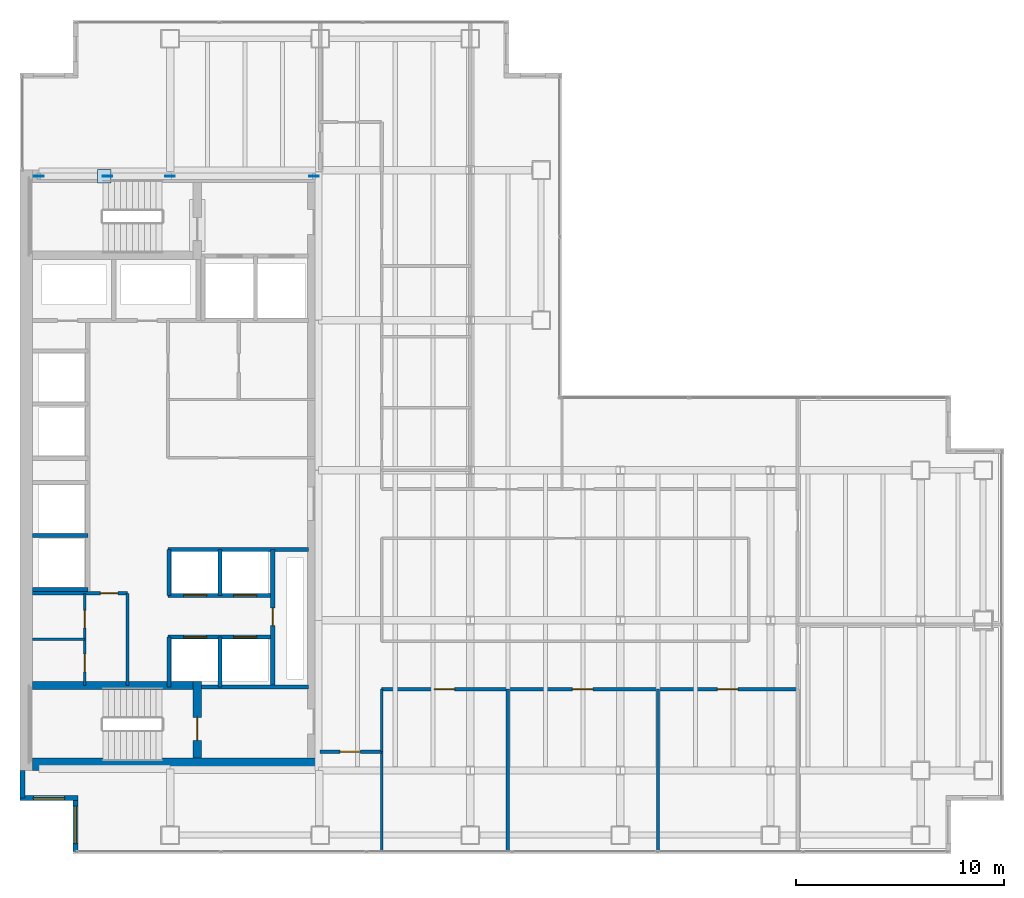
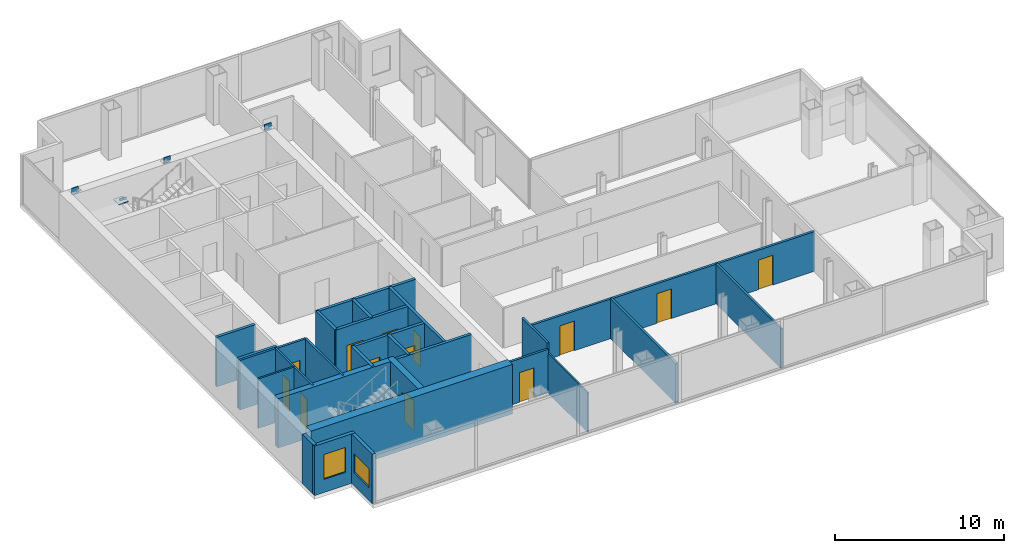
# One storey, part 20 of 23: 27 walls, 13 doors, 5 plates, 2 windows, 15 openings.
"""IFC4 building model written with IfcOpenShell, lengths in metres."""

from ifc_helpers import new_model, si_unit, direction, frame, frame_2d, origin, origin_2d, place, context, subcontext, project, spatial, rectangle, extrude, material, layer, layer_set, type_object, element, fill, save


model = new_model("IFC4")

# Units and contexts
model_context = context("Model", 3, precision=1e-05, world=origin(), true_north=direction((0.0, 1.0)))
body_context = subcontext(model_context, "Body", "Model", "MODEL_VIEW")
ifc_project = project(units=[si_unit("LENGTHUNIT", "METRE"), si_unit("AREAUNIT", "SQUARE_METRE"), si_unit("VOLUMEUNIT", "CUBIC_METRE"), si_unit("PLANEANGLEUNIT", "RADIAN"), si_unit("MASSUNIT", "GRAM", prefix="KILO")], contexts=[model_context])

# Site, building, storey
site_placement = place(None, origin())
site = spatial("IfcSite", under=ifc_project, at=site_placement, CompositionType="ELEMENT")
building_placement = place(site_placement, origin())
building = spatial("IfcBuilding", under=site, at=building_placement, Name="Cobrela Telecom Tower", CompositionType="ELEMENT")
storey_placement = place(building_placement, frame((0.0, 0.0, 129.14990234375)))
storey = spatial("IfcBuildingStorey", under=building, at=storey_placement, Name="L32", CompositionType="ELEMENT", Elevation=129.14990234375)

# Plates
ifc_material_1 = material(Name="Steel ASTM A572 Grade 50", Category="steel")
ifc_layer_1 = layer(ifc_material_1, 0.0419921875)
ifc_layer_set_1 = layer_set([ifc_layer_1], Name="Steel ASTM A572 Grade 50")
plate_type = type_object("IfcPlateType", Name="PLT-NODE-ND1", PredefinedType="USERDEFINED", material=ifc_layer_set_1)
for number, where, z_axis, x_axis, name in (
    (1, (7.199951171875, 35.699951171875, 3.39013671875), (0.0, 0.0, 1.0), (1.0, 0.0, 0.0), "Steel node plate PLT-MBR-EXO-L32-N1-A-1"),
    (2, (4.1953125, 35.699951171875, 1.475830078125), (0.0, 0.0, 1.0), (-1.0, 0.0, 0.0), "Steel node plate PLT-MBR-EXO-L32-N1-B1-1"),
    (3, (0.89990234375, 35.699951171875, 3.39013671875), (0.0, 0.0, 1.0), (-1.0, 0.0, 0.0), "Steel node plate PLT-MBR-EXO-L32-N1-B2-1"),
):
    element("IfcPlate", number, at=place(storey_placement, frame(where, z_axis=z_axis, x_axis=x_axis)), inside=storey, type_object=plate_type, Name=name, ObjectType="GUSSET PLATE", PredefinedType="USERDEFINED", context=body_context, shape_type="SweptSolid", body=[
        extrude(rectangle(XDim=0.4599609375, YDim=0.044921875, at=origin_2d()), origin(), (0.0, 0.0, 1.0), 0.4599609375),
    ])
plate_1_placement = place(storey_placement, frame((4.050048828125, 35.699951171875, 1.767578125), z_axis=(0.0, 0.0, 1.0), x_axis=(1.0, 0.0, 0.0)))
element("IfcPlate", 4, at=plate_1_placement, inside=storey, type_object=plate_type, Name="L32 Core Flange Steel X-Brace Central X-Crossing Gusset Plate", ObjectType="GUSSET PLATE", PredefinedType="USERDEFINED", context=body_context, shape_type="SweptSolid", body=[
    extrude(rectangle(XDim=0.64990234375, YDim=0.64990234375, at=origin_2d()), origin(), (0.0, 0.0, 1.0), 0.044921875),
])
plate_2_placement = place(storey_placement, frame((14.10009765625, 35.699951171875, 3.39013671875), z_axis=(0.0, 0.0, 1.0), x_axis=(1.0, 0.0, 0.0)))
element("IfcPlate", 5, at=plate_2_placement, inside=storey, type_object=plate_type, Name="Steel node plate PLT-MBR-EXO-L32-N2-1", ObjectType="GUSSET PLATE", PredefinedType="USERDEFINED", context=body_context, shape_type="SweptSolid", body=[
    extrude(rectangle(XDim=0.4599609375, YDim=0.044921875, at=origin_2d()), origin(), (0.0, 0.0, 1.0), 0.4599609375),
])

# Wall
ifc_material_2 = material(Name="Concrete C50/60", Category="concrete")
ifc_layer_2 = layer(ifc_material_2, 0.60009765625)
ifc_layer_set_2 = layer_set([ifc_layer_2], Name="Concrete C50/60")
wall_type_1 = type_object("IfcWallType", Name="WALL-CORE-C50-600", PredefinedType="SHEAR", material=ifc_layer_set_2)
wall_1_placement = place(storey_placement, frame((0.60009765625, 7.5, 0.0), z_axis=(0.0, 0.0, 1.0), x_axis=(1.0, 0.0, 0.0)))
element("IfcWall", 6, at=wall_1_placement, inside=storey, type_object=wall_type_1, Name="L32 South Core Shear Wall", PredefinedType="SHEAR", context=body_context, shape_type="SweptSolid", body=[
    extrude(rectangle(XDim=13.7998046875, YDim=0.60009765625, at=frame_2d((6.89990234375, 0.0))), origin(), (0.0, 0.0, 1.0), 3.580078125),
])

# Wall, opening, window
ifc_material_3 = material(Name="Concrete C40/50", Category="concrete")
ifc_layer_3 = layer(ifc_material_3, 0.239990234375)
ifc_layer_set_3 = layer_set([ifc_layer_3], Name="Concrete C40/50")
wall_type_2 = type_object("IfcWallType", Name="WALL-EXT-300", PredefinedType="STANDARD", material=ifc_layer_set_3)
wall_2_placement = place(storey_placement, frame((2.669921875, 3.320068359375, 0.0), z_axis=(0.0, 0.0, 1.0), x_axis=(0.0, 1.0, 0.0)))
wall_2 = element("IfcWall", 7, at=wall_2_placement, inside=storey, type_object=wall_type_2, Name="L32 Insulated Facade Wall 01", PredefinedType="STANDARD", context=body_context, shape_type="SweptSolid", body=[
    extrude(rectangle(XDim=2.550048828125, YDim=0.239990234375, at=frame_2d((1.27490234375, 0.0))), origin(), (0.0, 0.0, 1.0), 3.580078125),
])
opening_1_placement = place(wall_2_placement, frame((0.375, 0.0, 0.949951171875)))
opening_1 = element("IfcOpeningElement", 8, at=opening_1_placement, cuts=wall_2, Name="Opening WN-27", PredefinedType="OPENING", context=body_context, shape_type="SweptSolid", body=[
    extrude(rectangle(XDim=1.800048828125, YDim=1.35009765625, at=frame_2d((0.89990234375, 0.675048828125))), frame((0.0, 0.1318359375, 0.0), z_axis=(0.0, -1.0, 0.0), x_axis=(1.0, 0.0, 0.0)), (0.0, 0.0, 1.0), 0.263916015625),
])
ifc_material_4 = material(Name="Solar-Control Bronze Low-E Glass", Category="glass")
window_type_1 = type_object("IfcWindowType", Name="WIN-CLER-1800", PartitioningType="SINGLE_PANEL", PredefinedType="WINDOW", material=ifc_material_4)
window_1_placement = place(opening_1_placement, origin())
window_1 = element("IfcWindow", 9, at=window_1_placement, inside=storey, type_object=window_type_1, Name="L32 Corner Notch Facade Window 150", OverallHeight=1.35009765625, OverallWidth=1.800048828125, PartitioningType="SINGLE_PANEL", PredefinedType="WINDOW", context=body_context, shape_type="SweptSolid", body=[
    extrude(rectangle(XDim=1.800048828125, YDim=1.35009765625, at=frame_2d((0.89990234375, 0.675048828125))), frame((0.0, 0.030029296875, 0.0), z_axis=(0.0, -1.0, 0.0), x_axis=(1.0, 0.0, 0.0)), (0.0, 0.0, 1.0), 0.06005859375),
])
fill(opening_1, window_1)

wall_3_placement = place(storey_placement, frame((2.7900390625, 5.8701171875, 0.0), z_axis=(0.0, 0.0, 1.0), x_axis=(-1.0, 0.0, 0.0)))
wall_3 = element("IfcWall", 10, at=wall_3_placement, inside=storey, type_object=wall_type_2, Name="L32 Insulated Facade Wall 02", PredefinedType="STANDARD", context=body_context, shape_type="SweptSolid", body=[
    extrude(rectangle(XDim=2.7900390625, YDim=0.239990234375, at=frame_2d((1.39501953125, 0.0))), origin(), (0.0, 0.0, 1.0), 3.580078125),
])
opening_2_placement = place(wall_3_placement, frame((0.64501953125, 0.0, 0.949951171875)))
opening_2 = element("IfcOpeningElement", 11, at=opening_2_placement, cuts=wall_3, Name="Opening WN-45", PredefinedType="OPENING", context=body_context, shape_type="SweptSolid", body=[
    extrude(rectangle(XDim=1.5, YDim=1.800048828125, at=frame_2d((0.75, 0.89990234375))), frame((0.0, 0.1318359375, 0.0), z_axis=(0.0, -1.0, 0.0), x_axis=(1.0, 0.0, 0.0)), (0.0, 0.0, 1.0), 0.263916015625),
])
window_type_2 = type_object("IfcWindowType", Name="WIN-MOD-1500", PartitioningType="SINGLE_PANEL", PredefinedType="WINDOW", material=ifc_material_4)
window_2_placement = place(opening_2_placement, origin())
window_2 = element("IfcWindow", 12, at=window_2_placement, inside=storey, type_object=window_type_2, Name="L32 Corner Notch Facade Window 151", OverallHeight=1.800048828125, OverallWidth=1.5, PartitioningType="SINGLE_PANEL", PredefinedType="WINDOW", context=body_context, shape_type="SweptSolid", body=[
    extrude(rectangle(XDim=1.5, YDim=1.800048828125, at=frame_2d((0.75, 0.89990234375))), frame((0.0, 0.030029296875, 0.0), z_axis=(0.0, -1.0, 0.0), x_axis=(1.0, 0.0, 0.0)), (0.0, 0.0, 1.0), 0.06005859375),
])
fill(opening_2, window_2)

# Walls
wall_4_placement = place(storey_placement, frame((0.1201171875, 5.8701171875, 0.0), z_axis=(0.0, 0.0, 1.0), x_axis=(0.0, 1.0, 0.0)))
element("IfcWall", 13, at=wall_4_placement, inside=storey, type_object=wall_type_2, Name="L32 Insulated Facade Wall 03", PredefinedType="STANDARD", context=body_context, shape_type="SweptSolid", body=[
    extrude(rectangle(XDim=1.329833984375, YDim=0.239990234375, at=frame_2d((0.6650390625, 0.0))), origin(), (0.0, 0.0, 1.0), 3.580078125),
])
ifc_material_5 = material(Name="Fire-Rated Gypsum Plasterboard")
ifc_layer_4 = layer(ifc_material_5, 0.110107421875)
ifc_layer_set_4 = layer_set([ifc_layer_4], Name="Fire-Rated Gypsum Plasterboard")
wall_type_3 = type_object("IfcWallType", Name="WALL-PART-110", PredefinedType="PARTITIONING", material=ifc_layer_set_4)
wall_5_placement = place(storey_placement, frame((17.35009765625, 3.320068359375, 0.0), z_axis=(0.0, 0.0, 1.0), x_axis=(0.0, 1.0, 0.0)))
element("IfcWall", 14, at=wall_5_placement, inside=storey, type_object=wall_type_3, Name="L32 Interior Partition W-USW-E", PredefinedType="PARTITIONING", context=body_context, shape_type="SweptSolid", body=[
    extrude(rectangle(XDim=4.780029296875, YDim=0.110107421875, at=frame_2d((2.39013671875, 0.0))), origin(), (0.0, 0.0, 1.0), 2.869140625),
])
ifc_layer_5 = layer(ifc_material_5, 0.125)
ifc_layer_set_5 = layer_set([ifc_layer_5], Name="Fire-Rated Gypsum Plasterboard")
wall_type_4 = type_object("IfcWallType", Name="WALL-PART-125", PredefinedType="PARTITIONING", material=ifc_layer_set_5)
wall_6_placement = place(storey_placement, frame((0.60009765625, 13.5, 0.0), z_axis=(0.0, 0.0, 1.0), x_axis=(1.0, 0.0, 0.0)))
element("IfcWall", 15, at=wall_6_placement, inside=storey, type_object=wall_type_4, Name="L32 Interior Partition CW-FK3-H", PredefinedType="PARTITIONING", context=body_context, shape_type="SweptSolid", body=[
    extrude(rectangle(XDim=2.5, YDim=0.125, at=frame_2d((1.25, 0.0))), origin(), (0.0, 0.0, 1.0), 3.580078125),
])

# Wall, openings, doors
wall_7_placement = place(storey_placement, frame((3.10009765625, 11.280029296875, 0.0), z_axis=(0.0, 0.0, 1.0), x_axis=(0.0, 1.0, 0.0)))
wall_7 = element("IfcWall", 16, at=wall_7_placement, inside=storey, type_object=wall_type_4, Name="L32 Interior Partition CW-FK3-V", PredefinedType="PARTITIONING", context=body_context, shape_type="SweptSolid", body=[
    extrude(rectangle(XDim=4.419921875, YDim=0.125, at=frame_2d((2.2099609375, 0.0))), origin(), (0.0, 0.0, 1.0), 3.580078125),
])
opening_3_placement = place(wall_7_placement, frame((0.64990234375, 0.0, 0.0)))
opening_3 = element("IfcOpeningElement", 17, at=opening_3_placement, cuts=wall_7, Name="Opening DR-11", PredefinedType="OPENING", context=body_context, shape_type="SweptSolid", body=[
    extrude(rectangle(XDim=0.85009765625, YDim=2.14990234375, at=frame_2d((0.425048828125, 1.074951171875))), frame((0.0, 0.074462890625, 0.0), z_axis=(0.0, -1.0, 0.0), x_axis=(1.0, 0.0, 0.0)), (0.0, 0.0, 1.0), 0.14892578125),
])
opening_4_placement = place(wall_7_placement, frame((2.75, 0.0, 0.0)))
opening_4 = element("IfcOpeningElement", 18, at=opening_4_placement, cuts=wall_7, Name="Opening DR-11", PredefinedType="OPENING", context=body_context, shape_type="SweptSolid", body=[
    extrude(rectangle(XDim=0.85009765625, YDim=2.14990234375, at=frame_2d((0.425048828125, 1.074951171875))), frame((0.0, 0.074462890625, 0.0), z_axis=(0.0, -1.0, 0.0), x_axis=(1.0, 0.0, 0.0)), (0.0, 0.0, 1.0), 0.14892578125),
])
ifc_material_6 = material(Name="Solid Engineered Oak Timber", Category="wood")
door_type_1 = type_object("IfcDoorType", Name="DOOR-INT-850", OperationType="SINGLE_SWING_LEFT", PredefinedType="DOOR", material=ifc_material_6)
door_1_placement = place(opening_3_placement, origin())
door_1 = element("IfcDoor", 19, at=door_1_placement, inside=storey, type_object=door_type_1, Name="L32 Door DR-11", OperationType="SINGLE_SWING_LEFT", OverallHeight=2.14990234375, OverallWidth=0.85009765625, PredefinedType="DOOR", context=body_context, shape_type="SweptSolid", body=[
    extrude(rectangle(XDim=0.85009765625, YDim=2.14990234375, at=frame_2d((0.425048828125, 1.074951171875))), frame((0.0, 0.02490234375, 0.0), z_axis=(0.0, -1.0, 0.0), x_axis=(1.0, 0.0, 0.0)), (0.0, 0.0, 1.0), 0.050048828125),
])
fill(opening_3, door_1)
door_2_placement = place(opening_4_placement, origin())
door_2 = element("IfcDoor", 20, at=door_2_placement, inside=storey, type_object=door_type_1, Name="L32 Door DR-11", OperationType="SINGLE_SWING_RIGHT", OverallHeight=2.14990234375, OverallWidth=0.85009765625, PredefinedType="DOOR", context=body_context, shape_type="SweptSolid", body=[
    extrude(rectangle(XDim=0.85009765625, YDim=2.14990234375, at=frame_2d((0.425048828125, 1.074951171875))), frame((0.0, 0.02490234375, 0.0), z_axis=(0.0, -1.0, 0.0), x_axis=(1.0, 0.0, 0.0)), (0.0, 0.0, 1.0), 0.050048828125),
])
fill(opening_4, door_2)

# Walls
ifc_layer_6 = layer(ifc_material_5, 0.135009765625)
ifc_layer_set_6 = layer_set([ifc_layer_6], Name="Fire-Rated Gypsum Plasterboard")
wall_type_5 = type_object("IfcWallType", Name="WALL-PART-135", PredefinedType="PARTITIONING", material=ifc_layer_set_6)
wall_8_placement = place(storey_placement, frame((5.14990234375, 11.280029296875, 0.0), z_axis=(0.0, 0.0, 1.0), x_axis=(0.0, 1.0, 0.0)))
element("IfcWall", 21, at=wall_8_placement, inside=storey, type_object=wall_type_5, Name="L32 Interior Partition CW-FLEX-E", PredefinedType="PARTITIONING", context=body_context, shape_type="SweptSolid", body=[
    extrude(rectangle(XDim=4.419921875, YDim=0.135009765625, at=frame_2d((2.2099609375, 0.0))), origin(), (0.0, 0.0, 1.0), 3.580078125),
])
wall_9_placement = place(storey_placement, frame((17.35009765625, 8.10009765625, 0.0), z_axis=(0.0, 0.0, 1.0), x_axis=(0.0, 1.0, 0.0)))
element("IfcWall", 22, at=wall_9_placement, inside=storey, type_object=wall_type_5, Name="L32 Interior Partition W-UW-E1", PredefinedType="PARTITIONING", context=body_context, shape_type="SweptSolid", body=[
    extrude(rectangle(XDim=3.0, YDim=0.135009765625, at=frame_2d((1.5, 0.0))), origin(), (0.0, 0.0, 1.0), 3.580078125),
])

# Wall, opening, door
ifc_layer_7 = layer(ifc_material_5, 0.14990234375)
ifc_layer_set_7 = layer_set([ifc_layer_7], Name="Fire-Rated Gypsum Plasterboard")
wall_type_6 = type_object("IfcWallType", Name="WALL-PART-150", PredefinedType="PARTITIONING", material=ifc_layer_set_7)
wall_10_placement = place(storey_placement, frame((0.60009765625, 15.699951171875, 0.0), z_axis=(0.0, 0.0, 1.0), x_axis=(1.0, 0.0, 0.0)))
wall_10 = element("IfcWall", 23, at=wall_10_placement, inside=storey, type_object=wall_type_6, Name="L32 Interior Partition CW-FLEX-N", PredefinedType="PARTITIONING", context=body_context, shape_type="SweptSolid", body=[
    extrude(rectangle(XDim=4.5498046875, YDim=0.14990234375, at=frame_2d((2.27490234375, 0.0))), origin(), (0.0, 0.0, 1.0), 3.580078125),
])
opening_5_placement = place(wall_10_placement, frame((3.25, 0.0, 0.0)))
opening_5 = element("IfcOpeningElement", 24, at=opening_5_placement, cuts=wall_10, Name="Opening DR-11", PredefinedType="OPENING", context=body_context, shape_type="SweptSolid", body=[
    extrude(rectangle(XDim=0.85009765625, YDim=2.14990234375, at=frame_2d((0.425048828125, 1.074951171875))), frame((0.0, 0.0869140625, 0.0), z_axis=(0.0, -1.0, 0.0), x_axis=(1.0, 0.0, 0.0)), (0.0, 0.0, 1.0), 0.173828125),
])
door_3_placement = place(opening_5_placement, origin())
door_3 = element("IfcDoor", 25, at=door_3_placement, inside=storey, type_object=door_type_1, Name="L32 Door DR-11", OperationType="SINGLE_SWING_LEFT", OverallHeight=2.14990234375, OverallWidth=0.85009765625, PredefinedType="DOOR", context=body_context, shape_type="SweptSolid", body=[
    extrude(rectangle(XDim=0.85009765625, YDim=2.14990234375, at=frame_2d((0.425048828125, 1.074951171875))), frame((0.0, 0.02490234375, 0.0), z_axis=(0.0, -1.0, 0.0), x_axis=(1.0, 0.0, 0.0)), (0.0, 0.0, 1.0), 0.050048828125),
])
fill(opening_5, door_3)

wall_11_placement = place(storey_placement, frame((14.39990234375, 8.10009765625, 0.0), z_axis=(0.0, 0.0, 1.0), x_axis=(1.0, 0.0, 0.0)))
wall_11 = element("IfcWall", 26, at=wall_11_placement, inside=storey, type_object=wall_type_6, Name="L32 Interior Partition W-UW-S0", PredefinedType="PARTITIONING", context=body_context, shape_type="SweptSolid", body=[
    extrude(rectangle(XDim=2.9501953125, YDim=0.14990234375, at=frame_2d((1.47509765625, 0.0))), origin(), (0.0, 0.0, 1.0), 3.148193359375),
])
opening_6_placement = place(wall_11_placement, frame((0.949951171875, 0.0, 0.0)))
opening_6 = element("IfcOpeningElement", 27, at=opening_6_placement, cuts=wall_11, Name="Opening DR-17", PredefinedType="OPENING", context=body_context, shape_type="SweptSolid", body=[
    extrude(rectangle(XDim=0.97998046875, YDim=2.14990234375, at=frame_2d((0.489990234375, 1.074951171875))), frame((0.0, 0.0869140625, 0.0), z_axis=(0.0, -1.0, 0.0), x_axis=(1.0, 0.0, 0.0)), (0.0, 0.0, 1.0), 0.173828125),
])
door_type_2 = type_object("IfcDoorType", Name="DOOR-INT-980", OperationType="SINGLE_SWING_LEFT", PredefinedType="DOOR", material=ifc_material_6)
door_4_placement = place(opening_6_placement, origin())
door_4 = element("IfcDoor", 28, at=door_4_placement, inside=storey, type_object=door_type_2, Name="L32 Door DR-17", OperationType="SINGLE_SWING_RIGHT", OverallHeight=2.14990234375, OverallWidth=0.97998046875, PredefinedType="DOOR", context=body_context, shape_type="SweptSolid", body=[
    extrude(rectangle(XDim=0.97998046875, YDim=2.14990234375, at=frame_2d((0.489990234375, 1.074951171875))), frame((0.0, 0.02490234375, 0.0), z_axis=(0.0, -1.0, 0.0), x_axis=(1.0, 0.0, 0.0)), (0.0, 0.0, 1.0), 0.050048828125),
])
fill(opening_6, door_4)

# Wall
wall_12_placement = place(storey_placement, frame((30.60009765625, 3.320068359375, 0.0), z_axis=(0.0, 0.0, 1.0), x_axis=(0.0, 1.0, 0.0)))
element("IfcWall", 29, at=wall_12_placement, inside=storey, type_object=wall_type_6, Name="L32 Interior Partition W-USV-2", PredefinedType="PARTITIONING", context=body_context, shape_type="SweptSolid", body=[
    extrude(rectangle(XDim=7.780029296875, YDim=0.14990234375, at=frame_2d((3.89013671875, 0.0))), origin(), (0.0, 0.0, 1.0), 2.869140625),
])

# Wall, openings, doors
ifc_layer_8 = layer(ifc_material_5, 0.159912109375)
ifc_layer_set_8 = layer_set([ifc_layer_8], Name="Fire-Rated Gypsum Plasterboard")
wall_type_7 = type_object("IfcWallType", Name="WALL-PART-160", PredefinedType="PARTITIONING", material=ifc_layer_set_8)
wall_13_placement = place(storey_placement, frame((17.35009765625, 11.10009765625, 0.0), z_axis=(0.0, 0.0, 1.0), x_axis=(1.0, 0.0, 0.0)))
wall_13 = element("IfcWall", 30, at=wall_13_placement, inside=storey, type_object=wall_type_7, Name="L32 Interior Partition W-US-S", PredefinedType="PARTITIONING", context=body_context, shape_type="SweptSolid", body=[
    extrude(rectangle(XDim=19.949951171875, YDim=0.159912109375, at=frame_2d((9.97509765625, 0.0))), origin(), (0.0, 0.0, 1.0), 2.869140625),
])
opening_7_placement = place(wall_13_placement, frame((2.52001953125, 0.0, 0.0)))
opening_7 = element("IfcOpeningElement", 31, at=opening_7_placement, cuts=wall_13, Name="Opening DR-17", PredefinedType="OPENING", context=body_context, shape_type="SweptSolid", body=[
    extrude(rectangle(XDim=0.97998046875, YDim=2.14990234375, at=frame_2d((0.489990234375, 1.074951171875))), frame((0.0, 0.091796875, 0.0), z_axis=(0.0, -1.0, 0.0), x_axis=(1.0, 0.0, 0.0)), (0.0, 0.0, 1.0), 0.183837890625),
])
opening_8_placement = place(wall_13_placement, frame((9.14990234375, 0.0, 0.0)))
opening_8 = element("IfcOpeningElement", 32, at=opening_8_placement, cuts=wall_13, Name="Opening DR-17", PredefinedType="OPENING", context=body_context, shape_type="SweptSolid", body=[
    extrude(rectangle(XDim=0.97998046875, YDim=2.14990234375, at=frame_2d((0.489990234375, 1.074951171875))), frame((0.0, 0.091796875, 0.0), z_axis=(0.0, -1.0, 0.0), x_axis=(1.0, 0.0, 0.0)), (0.0, 0.0, 1.0), 0.183837890625),
])
opening_9_placement = place(wall_13_placement, frame((16.10009765625, 0.0, 0.0)))
opening_9 = element("IfcOpeningElement", 33, at=opening_9_placement, cuts=wall_13, Name="Opening DR-17", PredefinedType="OPENING", context=body_context, shape_type="SweptSolid", body=[
    extrude(rectangle(XDim=0.97998046875, YDim=2.14990234375, at=frame_2d((0.489990234375, 1.074951171875))), frame((0.0, 0.091796875, 0.0), z_axis=(0.0, -1.0, 0.0), x_axis=(1.0, 0.0, 0.0)), (0.0, 0.0, 1.0), 0.183837890625),
])
door_5_placement = place(opening_7_placement, origin())
door_5 = element("IfcDoor", 34, at=door_5_placement, inside=storey, type_object=door_type_2, Name="L32 Door DR-17", OperationType="SINGLE_SWING_LEFT", OverallHeight=2.14990234375, OverallWidth=0.97998046875, PredefinedType="DOOR", context=body_context, shape_type="SweptSolid", body=[
    extrude(rectangle(XDim=0.97998046875, YDim=2.14990234375, at=frame_2d((0.489990234375, 1.074951171875))), frame((0.0, 0.02490234375, 0.0), z_axis=(0.0, -1.0, 0.0), x_axis=(1.0, 0.0, 0.0)), (0.0, 0.0, 1.0), 0.050048828125),
])
fill(opening_7, door_5)
door_6_placement = place(opening_8_placement, origin())
door_6 = element("IfcDoor", 35, at=door_6_placement, inside=storey, type_object=door_type_2, Name="L32 Door DR-17", OperationType="SINGLE_SWING_RIGHT", OverallHeight=2.14990234375, OverallWidth=0.97998046875, PredefinedType="DOOR", context=body_context, shape_type="SweptSolid", body=[
    extrude(rectangle(XDim=0.97998046875, YDim=2.14990234375, at=frame_2d((0.489990234375, 1.074951171875))), frame((0.0, 0.02490234375, 0.0), z_axis=(0.0, -1.0, 0.0), x_axis=(1.0, 0.0, 0.0)), (0.0, 0.0, 1.0), 0.050048828125),
])
fill(opening_8, door_6)
door_7_placement = place(opening_9_placement, origin())
door_7 = element("IfcDoor", 36, at=door_7_placement, inside=storey, type_object=door_type_2, Name="L32 Door DR-17", OperationType="SINGLE_SWING_LEFT", OverallHeight=2.14990234375, OverallWidth=0.97998046875, PredefinedType="DOOR", context=body_context, shape_type="SweptSolid", body=[
    extrude(rectangle(XDim=0.97998046875, YDim=2.14990234375, at=frame_2d((0.489990234375, 1.074951171875))), frame((0.0, 0.02490234375, 0.0), z_axis=(0.0, -1.0, 0.0), x_axis=(1.0, 0.0, 0.0)), (0.0, 0.0, 1.0), 0.050048828125),
])
fill(opening_9, door_7)

# Walls
wall_14_placement = place(storey_placement, frame((23.39990234375, 3.320068359375, 0.0), z_axis=(0.0, 0.0, 1.0), x_axis=(0.0, 1.0, 0.0)))
element("IfcWall", 37, at=wall_14_placement, inside=storey, type_object=wall_type_7, Name="L32 Interior Partition W-USV-1", PredefinedType="PARTITIONING", context=body_context, shape_type="SweptSolid", body=[
    extrude(rectangle(XDim=7.780029296875, YDim=0.159912109375, at=frame_2d((3.89013671875, 0.0))), origin(), (0.0, 0.0, 1.0), 2.869140625),
])
ifc_layer_9 = layer(ifc_material_5, 0.199951171875)
ifc_layer_set_9 = layer_set([ifc_layer_9], Name="Fire-Rated Gypsum Plasterboard")
wall_type_8 = type_object("IfcWallType", Name="WALL-SHAFT-200", PredefinedType="PARTITIONING", material=ifc_layer_set_9)
wall_15_placement = place(storey_placement, frame((8.699951171875, 11.199951171875, 0.0), z_axis=(0.0, 0.0, 1.0), x_axis=(1.0, 0.0, 0.0)))
element("IfcWall", 38, at=wall_15_placement, inside=storey, type_object=wall_type_8, Name="L32 Shaft Enclosure CW-ST2L-N", PredefinedType="PARTITIONING", context=body_context, shape_type="SweptSolid", body=[
    extrude(rectangle(XDim=5.150146484375, YDim=0.199951171875, at=frame_2d((2.5751953125, 0.0))), origin(), (0.0, 0.0, 1.0), 3.580078125),
])
for number, where, z_axis, x_axis, name in (
    (39, (0.60009765625, 15.8798828125, 0.0), (0.0, 0.0, 1.0), (1.0, 0.0, 0.0), "L32 Shaft Enclosure CW-PLH-D9"),
    (40, (0.60009765625, 18.47998046875, 0.0), (0.0, 0.0, 1.0), (1.0, 0.0, 0.0), "L32 Shaft Enclosure CW-PLH-D10"),
):
    element("IfcWall", number, at=place(storey_placement, frame(where, z_axis=z_axis, x_axis=x_axis)), inside=storey, type_object=wall_type_8, Name=name, PredefinedType="PARTITIONING", context=body_context, shape_type="SweptSolid", body=[
        extrude(rectangle(XDim=2.64990234375, YDim=0.199951171875, at=frame_2d((1.324951171875, 0.0))), origin(), (0.0, 0.0, 1.0), 3.580078125),
    ])
wall_16_placement = place(storey_placement, frame((7.10009765625, 17.800048828125, 0.0), z_axis=(0.0, 0.0, 1.0), x_axis=(1.0, 0.0, 0.0)))
element("IfcWall", 41, at=wall_16_placement, inside=storey, type_object=wall_type_8, Name="L32 Shaft Enclosure CW-PLM-T0", PredefinedType="PARTITIONING", context=body_context, shape_type="SweptSolid", body=[
    extrude(rectangle(XDim=6.75, YDim=0.199951171875, at=frame_2d((3.375, 0.0))), origin(), (0.0, 0.0, 1.0), 3.580078125),
])

# Wall, openings, doors
wall_17_placement = place(storey_placement, frame((7.10009765625, 15.60009765625, 0.0), z_axis=(0.0, 0.0, 1.0), x_axis=(1.0, 0.0, 0.0)))
wall_17 = element("IfcWall", 42, at=wall_17_placement, inside=storey, type_object=wall_type_8, Name="L32 Shaft Enclosure CW-PLM-N", PredefinedType="PARTITIONING", context=body_context, shape_type="SweptSolid", body=[
    extrude(rectangle(XDim=5.02001953125, YDim=0.199951171875, at=frame_2d((2.510009765625, 0.0))), origin(), (0.0, 0.0, 1.0), 3.580078125),
])
opening_10_placement = place(wall_17_placement, frame((0.75, 0.0, 0.0)))
opening_10 = element("IfcOpeningElement", 43, at=opening_10_placement, cuts=wall_17, Name="Opening LD-1", PredefinedType="OPENING", context=body_context, shape_type="SweptSolid", body=[
    extrude(rectangle(XDim=1.10009765625, YDim=2.199951171875, at=frame_2d((0.550048828125, 1.10009765625))), frame((0.0, 0.11181640625, 0.0), z_axis=(0.0, -1.0, 0.0), x_axis=(1.0, 0.0, 0.0)), (0.0, 0.0, 1.0), 0.223876953125),
])
opening_11_placement = place(wall_17_placement, frame((3.14990234375, 0.0, 0.0)))
opening_11 = element("IfcOpeningElement", 44, at=opening_11_placement, cuts=wall_17, Name="Opening LD-1", PredefinedType="OPENING", context=body_context, shape_type="SweptSolid", body=[
    extrude(rectangle(XDim=1.10009765625, YDim=2.199951171875, at=frame_2d((0.550048828125, 1.10009765625))), frame((0.0, 0.11181640625, 0.0), z_axis=(0.0, -1.0, 0.0), x_axis=(1.0, 0.0, 0.0)), (0.0, 0.0, 1.0), 0.223876953125),
])
ifc_material_7 = material(Name="Steel ASTM A36", Category="steel")
door_type_3 = type_object("IfcDoorType", Name="DOOR-LD-PL", OperationType="SINGLE_SWING_LEFT", PredefinedType="DOOR", material=ifc_material_7)
door_8_placement = place(opening_10_placement, origin())
door_8 = element("IfcDoor", 45, at=door_8_placement, inside=storey, type_object=door_type_3, Name="L32 Lift Landing Door LD-1", OperationType="DOUBLE_DOOR_SLIDING", OverallHeight=2.199951171875, OverallWidth=1.10009765625, PredefinedType="DOOR", context=body_context, shape_type="SweptSolid", body=[
    extrude(rectangle(XDim=1.10009765625, YDim=2.199951171875, at=frame_2d((0.550048828125, 1.10009765625))), frame((0.0, 0.02490234375, 0.0), z_axis=(0.0, -1.0, 0.0), x_axis=(1.0, 0.0, 0.0)), (0.0, 0.0, 1.0), 0.050048828125),
])
fill(opening_10, door_8)
door_9_placement = place(opening_11_placement, origin())
door_9 = element("IfcDoor", 46, at=door_9_placement, inside=storey, type_object=door_type_3, Name="L32 Lift Landing Door LD-1", OperationType="DOUBLE_DOOR_SLIDING", OverallHeight=2.199951171875, OverallWidth=1.10009765625, PredefinedType="DOOR", context=body_context, shape_type="SweptSolid", body=[
    extrude(rectangle(XDim=1.10009765625, YDim=2.199951171875, at=frame_2d((0.550048828125, 1.10009765625))), frame((0.0, 0.02490234375, 0.0), z_axis=(0.0, -1.0, 0.0), x_axis=(1.0, 0.0, 0.0)), (0.0, 0.0, 1.0), 0.050048828125),
])
fill(opening_11, door_9)

wall_18_placement = place(storey_placement, frame((7.10009765625, 13.60009765625, 0.0), z_axis=(0.0, 0.0, 1.0), x_axis=(1.0, 0.0, 0.0)))
wall_18 = element("IfcWall", 47, at=wall_18_placement, inside=storey, type_object=wall_type_8, Name="L32 Shaft Enclosure CW-PLM-S", PredefinedType="PARTITIONING", context=body_context, shape_type="SweptSolid", body=[
    extrude(rectangle(XDim=5.02001953125, YDim=0.199951171875, at=frame_2d((2.510009765625, 0.0))), origin(), (0.0, 0.0, 1.0), 3.580078125),
])
opening_12_placement = place(wall_18_placement, frame((0.75, 0.0, 0.0)))
opening_12 = element("IfcOpeningElement", 48, at=opening_12_placement, cuts=wall_18, Name="Opening LD-1", PredefinedType="OPENING", context=body_context, shape_type="SweptSolid", body=[
    extrude(rectangle(XDim=1.10009765625, YDim=2.199951171875, at=frame_2d((0.550048828125, 1.10009765625))), frame((0.0, 0.11181640625, 0.0), z_axis=(0.0, -1.0, 0.0), x_axis=(1.0, 0.0, 0.0)), (0.0, 0.0, 1.0), 0.223876953125),
])
opening_13_placement = place(wall_18_placement, frame((3.14990234375, 0.0, 0.0)))
opening_13 = element("IfcOpeningElement", 49, at=opening_13_placement, cuts=wall_18, Name="Opening LD-1", PredefinedType="OPENING", context=body_context, shape_type="SweptSolid", body=[
    extrude(rectangle(XDim=1.10009765625, YDim=2.199951171875, at=frame_2d((0.550048828125, 1.10009765625))), frame((0.0, 0.11181640625, 0.0), z_axis=(0.0, -1.0, 0.0), x_axis=(1.0, 0.0, 0.0)), (0.0, 0.0, 1.0), 0.223876953125),
])
door_10_placement = place(opening_12_placement, origin())
door_10 = element("IfcDoor", 50, at=door_10_placement, inside=storey, type_object=door_type_3, Name="L32 Lift Landing Door LD-1", OperationType="DOUBLE_DOOR_SLIDING", OverallHeight=2.199951171875, OverallWidth=1.10009765625, PredefinedType="DOOR", context=body_context, shape_type="SweptSolid", body=[
    extrude(rectangle(XDim=1.10009765625, YDim=2.199951171875, at=frame_2d((0.550048828125, 1.10009765625))), frame((0.0, 0.02490234375, 0.0), z_axis=(0.0, -1.0, 0.0), x_axis=(1.0, 0.0, 0.0)), (0.0, 0.0, 1.0), 0.050048828125),
])
fill(opening_12, door_10)
door_11_placement = place(opening_13_placement, origin())
door_11 = element("IfcDoor", 51, at=door_11_placement, inside=storey, type_object=door_type_3, Name="L32 Lift Landing Door LD-1", OperationType="DOUBLE_DOOR_SLIDING", OverallHeight=2.199951171875, OverallWidth=1.10009765625, PredefinedType="DOOR", context=body_context, shape_type="SweptSolid", body=[
    extrude(rectangle(XDim=1.10009765625, YDim=2.199951171875, at=frame_2d((0.550048828125, 1.10009765625))), frame((0.0, 0.02490234375, 0.0), z_axis=(0.0, -1.0, 0.0), x_axis=(1.0, 0.0, 0.0)), (0.0, 0.0, 1.0), 0.050048828125),
])
fill(opening_13, door_11)

# Walls
wall_19_placement = place(storey_placement, frame((7.14990234375, 15.60009765625, 0.0), z_axis=(0.0, 0.0, 1.0), x_axis=(0.0, 1.0, 0.0)))
element("IfcWall", 52, at=wall_19_placement, inside=storey, type_object=wall_type_8, Name="L32 Shaft Enclosure CW-PLM-V1", PredefinedType="PARTITIONING", context=body_context, shape_type="SweptSolid", body=[
    extrude(rectangle(XDim=2.199951171875, YDim=0.199951171875, at=frame_2d((1.10009765625, 0.0))), origin(), (0.0, 0.0, 1.0), 3.580078125),
])
wall_20_placement = place(storey_placement, frame((7.14990234375, 11.199951171875, 0.0), z_axis=(0.0, 0.0, 1.0), x_axis=(0.0, 1.0, 0.0)))
element("IfcWall", 53, at=wall_20_placement, inside=storey, type_object=wall_type_8, Name="L32 Shaft Enclosure CW-PLM-V1B", PredefinedType="PARTITIONING", context=body_context, shape_type="SweptSolid", body=[
    extrude(rectangle(XDim=2.400146484375, YDim=0.199951171875, at=frame_2d((1.2001953125, 0.0))), origin(), (0.0, 0.0, 1.0), 3.580078125),
])
wall_21_placement = place(storey_placement, frame((9.60009765625, 15.60009765625, 0.0), z_axis=(0.0, 0.0, 1.0), x_axis=(0.0, 1.0, 0.0)))
element("IfcWall", 54, at=wall_21_placement, inside=storey, type_object=wall_type_8, Name="L32 Shaft Enclosure CW-PLM-V2", PredefinedType="PARTITIONING", context=body_context, shape_type="SweptSolid", body=[
    extrude(rectangle(XDim=2.199951171875, YDim=0.199951171875, at=frame_2d((1.10009765625, 0.0))), origin(), (0.0, 0.0, 1.0), 3.580078125),
])
wall_22_placement = place(storey_placement, frame((9.60009765625, 11.199951171875, 0.0), z_axis=(0.0, 0.0, 1.0), x_axis=(0.0, 1.0, 0.0)))
element("IfcWall", 55, at=wall_22_placement, inside=storey, type_object=wall_type_8, Name="L32 Shaft Enclosure CW-PLM-V2B", PredefinedType="PARTITIONING", context=body_context, shape_type="SweptSolid", body=[
    extrude(rectangle(XDim=2.400146484375, YDim=0.199951171875, at=frame_2d((1.2001953125, 0.0))), origin(), (0.0, 0.0, 1.0), 3.580078125),
])

# Wall, opening, door
wall_23_placement = place(storey_placement, frame((12.1201171875, 11.199951171875, 0.0), z_axis=(0.0, 0.0, 1.0), x_axis=(0.0, 1.0, 0.0)))
wall_23 = element("IfcWall", 56, at=wall_23_placement, inside=storey, type_object=wall_type_8, Name="L32 Shaft Enclosure CW-PLM-V3", PredefinedType="PARTITIONING", context=body_context, shape_type="SweptSolid", body=[
    extrude(rectangle(XDim=6.60009765625, YDim=0.199951171875, at=frame_2d((3.300048828125, 0.0))), origin(), (0.0, 0.0, 1.0), 3.580078125),
])
opening_14_placement = place(wall_23_placement, frame((2.949951171875, 0.0, 0.0)))
opening_14 = element("IfcOpeningElement", 57, at=opening_14_placement, cuts=wall_23, Name="Opening DR-11", PredefinedType="OPENING", context=body_context, shape_type="SweptSolid", body=[
    extrude(rectangle(XDim=0.85009765625, YDim=2.14990234375, at=frame_2d((0.425048828125, 1.074951171875))), frame((0.0, 0.11181640625, 0.0), z_axis=(0.0, -1.0, 0.0), x_axis=(1.0, 0.0, 0.0)), (0.0, 0.0, 1.0), 0.223876953125),
])
door_12_placement = place(opening_14_placement, origin())
door_12 = element("IfcDoor", 58, at=door_12_placement, inside=storey, type_object=door_type_1, Name="L32 Door DR-11", OperationType="SINGLE_SWING_RIGHT", OverallHeight=2.14990234375, OverallWidth=0.85009765625, PredefinedType="DOOR", context=body_context, shape_type="SweptSolid", body=[
    extrude(rectangle(XDim=0.85009765625, YDim=2.14990234375, at=frame_2d((0.425048828125, 1.074951171875))), frame((0.0, 0.02490234375, 0.0), z_axis=(0.0, -1.0, 0.0), x_axis=(1.0, 0.0, 0.0)), (0.0, 0.0, 1.0), 0.050048828125),
])
fill(opening_14, door_12)

# Wall
ifc_layer_10 = layer(ifc_material_3, 0.39990234375)
ifc_layer_set_10 = layer_set([ifc_layer_10], Name="Concrete C40/50")
wall_type_9 = type_object("IfcWallType", Name="WALL-SHAFT-C40-400", PredefinedType="SHEAR", material=ifc_layer_set_10)
wall_24_placement = place(storey_placement, frame((0.60009765625, 11.280029296875, 0.0), z_axis=(0.0, 0.0, 1.0), x_axis=(1.0, 0.0, 0.0)))
element("IfcWall", 59, at=wall_24_placement, inside=storey, type_object=wall_type_9, Name="L32 South Stair Shear Wall", PredefinedType="SHEAR", context=body_context, shape_type="SweptSolid", body=[
    extrude(rectangle(XDim=7.699951171875, YDim=0.39990234375, at=frame_2d((3.85009765625, 0.0))), origin(), (0.0, 0.0, 1.0), 3.580078125),
])

# Wall, opening, door
wall_25_placement = place(storey_placement, frame((8.5, 7.800048828125, 0.0), z_axis=(0.0, 0.0, 1.0), x_axis=(0.0, 1.0, 0.0)))
wall_25 = element("IfcWall", 60, at=wall_25_placement, inside=storey, type_object=wall_type_9, Name="L32 South Stair Lobby Shear Wall", PredefinedType="SHEAR", context=body_context, shape_type="SweptSolid", body=[
    extrude(rectangle(XDim=3.679931640625, YDim=0.39990234375, at=frame_2d((1.83984375, 0.0))), origin(), (0.0, 0.0, 1.0), 3.580078125),
])
opening_15_placement = place(wall_25_placement, frame((0.85009765625, 0.0, 0.0)))
opening_15 = element("IfcOpeningElement", 61, at=opening_15_placement, cuts=wall_25, Name="Opening FD-90", PredefinedType="OPENING", context=body_context, shape_type="SweptSolid", body=[
    extrude(rectangle(XDim=1.10009765625, YDim=2.14990234375, at=frame_2d((0.550048828125, 1.074951171875))), frame((0.0, 0.2119140625, 0.0), z_axis=(0.0, -1.0, 0.0), x_axis=(1.0, 0.0, 0.0)), (0.0, 0.0, 1.0), 0.423828125),
])
door_type_4 = type_object("IfcDoorType", Name="DOOR-FD90-1100", OperationType="SINGLE_SWING_LEFT", PredefinedType="DOOR", material=ifc_material_7)
door_13_placement = place(opening_15_placement, origin())
door_13 = element("IfcDoor", 62, at=door_13_placement, inside=storey, type_object=door_type_4, Name="L32 Door FD-90", OperationType="SINGLE_SWING_LEFT", OverallHeight=2.14990234375, OverallWidth=1.10009765625, PredefinedType="DOOR", context=body_context, shape_type="SweptSolid", body=[
    extrude(rectangle(XDim=1.10009765625, YDim=2.14990234375, at=frame_2d((0.550048828125, 1.074951171875))), frame((0.0, 0.02490234375, 0.0), z_axis=(0.0, -1.0, 0.0), x_axis=(1.0, 0.0, 0.0)), (0.0, 0.0, 1.0), 0.050048828125),
])
fill(opening_15, door_13)

save(model, "model.ifc")
